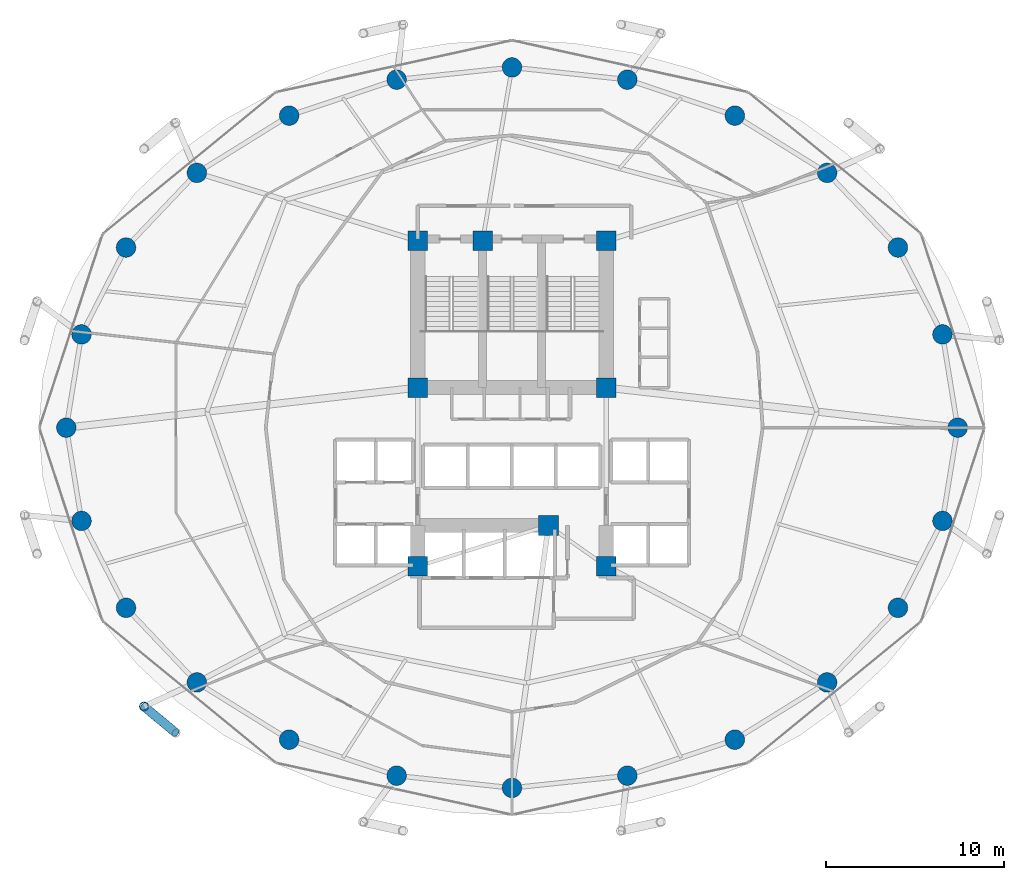
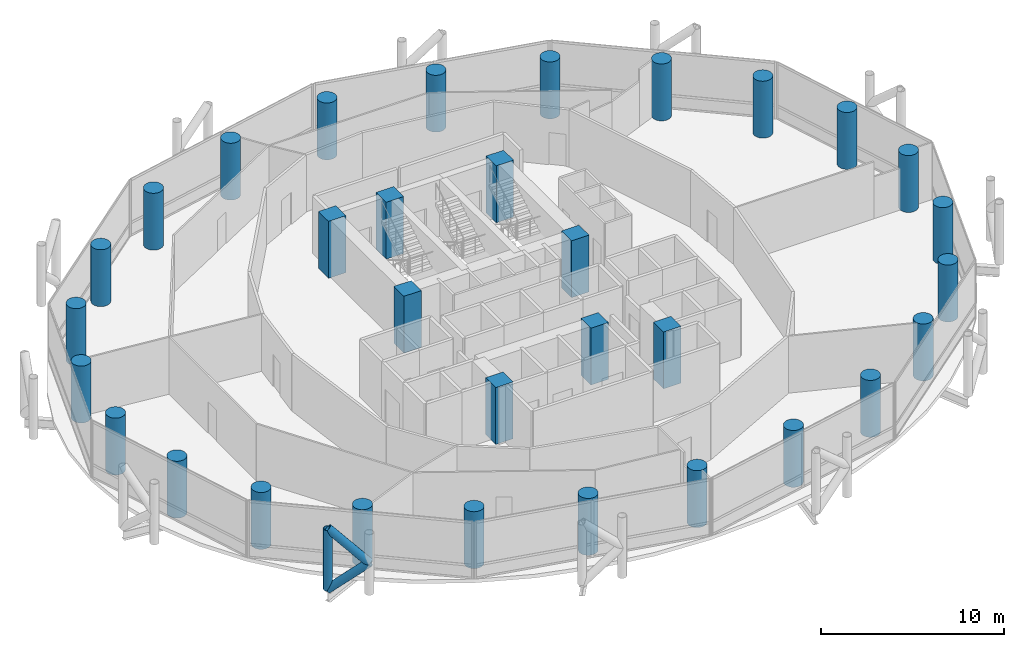
# One storey, part 1 of 25: 32 columns, 3 members.
"""IFC4 building model written with IfcOpenShell, lengths in metres."""

from ifc_helpers import new_model, si_unit, direction, frame, origin, origin_2d, place, context, subcontext, project, spatial, rectangle, circle, hollow_circle, extrude, material, material_profile, profile_set, type_object, element, save


model = new_model("IFC4")

# Units and contexts
model_context = context("Model", 3, precision=1e-05, world=origin(), true_north=direction((0.0, 1.0)))
body_context = subcontext(model_context, "Body", "Model", "MODEL_VIEW")
ifc_project = project(units=[si_unit("LENGTHUNIT", "METRE"), si_unit("AREAUNIT", "SQUARE_METRE"), si_unit("VOLUMEUNIT", "CUBIC_METRE"), si_unit("PLANEANGLEUNIT", "RADIAN"), si_unit("MASSUNIT", "GRAM", prefix="KILO")], contexts=[model_context])

# Site, building, storey
site_placement = place(None, origin())
site = spatial("IfcSite", under=ifc_project, at=site_placement, CompositionType="ELEMENT")
building_placement = place(site_placement, origin())
building = spatial("IfcBuilding", under=site, at=building_placement, Name="Nuhasar Tower", CompositionType="ELEMENT")
storey_placement = place(building_placement, frame((0.0, 0.0, 57.449951171875)))
storey = spatial("IfcBuildingStorey", under=building, at=storey_placement, Name="L13", CompositionType="ELEMENT", Elevation=57.449951171875)

# Columns
ifc_material_1 = material(Name="Concrete C80/95", Category="concrete")
ifc_material_profile_1 = material_profile(ifc_material_1, circle(Radius=0.550048828125, at=origin_2d()), Name="CFT1100")
ifc_profile_set_1 = profile_set([ifc_material_profile_1], Name="Concrete C80/95")
column_type_1 = type_object("IfcColumnType", Name="COL-CFT-1100", PredefinedType="COLUMN", material=ifc_profile_set_1)
for number, where, z_axis, x_axis, name in (
    (1, (64.050048828125, 26.800048828125, 0.0), (0.0, 0.0, 1.0), (1.0, 0.0, 0.0), "L13 Perimeter Composite Column TC-01"),
    (2, (63.196044921875, 32.041015625, 0.0), (0.0, 0.0, 1.0), (1.0, 0.0, 0.0), "L13 Perimeter Composite Column TC-02"),
    (3, (60.694091796875, 36.925048828125, 0.0), (0.0, 0.0, 1.0), (1.0, 0.0, 0.0), "L13 Perimeter Composite Column TC-03"),
    (4, (56.712890625, 41.118896484375, 0.0), (0.0, 0.0, 1.0), (1.0, 0.0, 0.0), "L13 Perimeter Composite Column TC-04"),
    (5, (51.52490234375, 44.3369140625, 0.0), (0.0, 0.0, 1.0), (1.0, 0.0, 0.0), "L13 Perimeter Composite Column TC-05"),
    (6, (45.48291015625, 46.360107421875, 0.0), (0.0, 0.0, 1.0), (1.0, 0.0, 0.0), "L13 Perimeter Composite Column TC-06"),
    (7, (39.0, 47.050048828125, 0.0), (0.0, 0.0, 1.0), (1.0, 0.0, 0.0), "L13 Perimeter Composite Column TC-07"),
    (8, (32.51708984375, 46.360107421875, 0.0), (0.0, 0.0, 1.0), (1.0, 0.0, 0.0), "L13 Perimeter Composite Column TC-08"),
    (9, (26.47509765625, 44.3369140625, 0.0), (0.0, 0.0, 1.0), (1.0, 0.0, 0.0), "L13 Perimeter Composite Column TC-09"),
    (10, (21.287109375, 41.118896484375, 0.0), (0.0, 0.0, 1.0), (1.0, 0.0, 0.0), "L13 Perimeter Composite Column TC-10"),
    (11, (17.305908203125, 36.925048828125, 0.0), (0.0, 0.0, 1.0), (1.0, 0.0, 0.0), "L13 Perimeter Composite Column TC-11"),
    (12, (14.803955078125, 32.041015625, 0.0), (0.0, 0.0, 1.0), (1.0, 0.0, 0.0), "L13 Perimeter Composite Column TC-12"),
    (13, (13.949951171875, 26.800048828125, 0.0), (0.0, 0.0, 1.0), (1.0, 0.0, 0.0), "L13 Perimeter Composite Column TC-13"),
    (14, (14.803955078125, 21.55908203125, 0.0), (0.0, 0.0, 1.0), (1.0, 0.0, 0.0), "L13 Perimeter Composite Column TC-14"),
    (15, (17.305908203125, 16.675048828125, 0.0), (0.0, 0.0, 1.0), (1.0, 0.0, 0.0), "L13 Perimeter Composite Column TC-15"),
    (16, (21.287109375, 12.48095703125, 0.0), (0.0, 0.0, 1.0), (1.0, 0.0, 0.0), "L13 Perimeter Composite Column TC-16"),
    (17, (26.47509765625, 9.262939453125, 0.0), (0.0, 0.0, 1.0), (1.0, 0.0, 0.0), "L13 Perimeter Composite Column TC-17"),
    (18, (32.51708984375, 7.239990234375, 0.0), (0.0, 0.0, 1.0), (1.0, 0.0, 0.0), "L13 Perimeter Composite Column TC-18"),
    (19, (39.0, 6.550048828125, 0.0), (0.0, 0.0, 1.0), (1.0, 0.0, 0.0), "L13 Perimeter Composite Column TC-19"),
    (20, (45.48291015625, 7.239990234375, 0.0), (0.0, 0.0, 1.0), (1.0, 0.0, 0.0), "L13 Perimeter Composite Column TC-20"),
    (21, (51.52490234375, 9.262939453125, 0.0), (0.0, 0.0, 1.0), (1.0, 0.0, 0.0), "L13 Perimeter Composite Column TC-21"),
    (22, (56.712890625, 12.48095703125, 0.0), (0.0, 0.0, 1.0), (1.0, 0.0, 0.0), "L13 Perimeter Composite Column TC-22"),
    (23, (60.694091796875, 16.675048828125, 0.0), (0.0, 0.0, 1.0), (1.0, 0.0, 0.0), "L13 Perimeter Composite Column TC-23"),
    (24, (63.196044921875, 21.55908203125, 0.0), (0.0, 0.0, 1.0), (1.0, 0.0, 0.0), "L13 Perimeter Composite Column TC-24"),
):
    element("IfcColumn", number, at=place(storey_placement, frame(where, z_axis=z_axis, x_axis=x_axis)), inside=storey, type_object=column_type_1, Name=name, PredefinedType="COLUMN", context=body_context, shape_type="SweptSolid", body=[
        extrude(circle(Radius=0.550048828125, at=origin_2d()), origin(), (0.0, 0.0, 1.0), 3.800048828125),
    ])
ifc_material_profile_2 = material_profile(ifc_material_1, rectangle(XDim=1.10009765625, YDim=1.10009765625, at=origin_2d()), Name="RC1100X1100")
ifc_profile_set_2 = profile_set([ifc_material_profile_2], Name="Concrete C80/95")
column_type_2 = type_object("IfcColumnType", Name="PIL-RC-1100", PredefinedType="PILASTER", material=ifc_profile_set_2)
for number, where, z_axis, x_axis, name in (
    (25, (33.699951171875, 19.0, 0.0), (0.0, 0.0, 1.0), (1.0, 0.0, 0.0), "L13 Core Boundary Pilaster CC-01"),
    (26, (41.050048828125, 21.300048828125, 0.0), (0.0, 0.0, 1.0), (1.0, 0.0, 0.0), "L13 Core Boundary Pilaster CC-02"),
    (27, (44.300048828125, 19.0, 0.0), (0.0, 0.0, 1.0), (1.0, 0.0, 0.0), "L13 Core Boundary Pilaster CC-03"),
    (28, (44.300048828125, 29.050048828125, 0.0), (0.0, 0.0, 1.0), (1.0, 0.0, 0.0), "L13 Core Boundary Pilaster CC-04"),
    (29, (44.300048828125, 37.300048828125, 0.0), (0.0, 0.0, 1.0), (1.0, 0.0, 0.0), "L13 Core Boundary Pilaster CC-05"),
    (30, (37.35009765625, 37.300048828125, 0.0), (0.0, 0.0, 1.0), (1.0, 0.0, 0.0), "L13 Core Boundary Pilaster CC-06"),
    (31, (33.699951171875, 37.300048828125, 0.0), (0.0, 0.0, 1.0), (1.0, 0.0, 0.0), "L13 Core Boundary Pilaster CC-07"),
    (32, (33.699951171875, 29.050048828125, 0.0), (0.0, 0.0, 1.0), (1.0, 0.0, 0.0), "L13 Core Boundary Pilaster CC-08"),
):
    element("IfcColumn", number, at=place(storey_placement, frame(where, z_axis=z_axis, x_axis=x_axis)), inside=storey, type_object=column_type_2, Name=name, PredefinedType="PILASTER", context=body_context, shape_type="SweptSolid", body=[
        extrude(rectangle(XDim=1.10009765625, YDim=1.10009765625, at=origin_2d()), origin(), (0.0, 0.0, 1.0), 3.800048828125),
    ])

# Members
ifc_material_2 = material(Name="Steel S460", Category="steel")
ifc_material_profile_3 = material_profile(ifc_material_2, hollow_circle(Radius=0.25390625, WallThickness=0.025390625, at=origin_2d()), Name="HSS508X25.4")
ifc_profile_set_3 = profile_set([ifc_material_profile_3], Name="Steel S460")
member_type = type_object("IfcMemberType", Name="EXO-BRONZE-508", PredefinedType="BRACE", material=ifc_profile_set_3)
member_1_placement = place(storey_placement, frame((18.31494140625, 11.12890625, 0.0), z_axis=(0.0, 0.0, 1.0), x_axis=(1.0, 0.0, 0.0)))
element("IfcMember", 33, at=member_1_placement, inside=storey, type_object=member_type, Name="L13 Exoskeleton Chord Column EC-08A", PredefinedType="BRACE", context=body_context, shape_type="SweptSolid", body=[
    extrude(hollow_circle(Radius=0.25390625, WallThickness=0.025390625, at=origin_2d()), origin(), (0.0, 0.0, 1.0), 4.050048828125),
])
member_2_placement = place(storey_placement, frame((18.31494140625, 11.12890625, 0.0), z_axis=(0.578071194894, -0.478911834514, 0.660664172175), x_axis=(0.637969333506, 0.770061769929, 0.0)))
element("IfcMember", 34, at=member_2_placement, inside=storey, type_object=member_type, Name="L13 Bronze Diagrid Brace W1-08", PredefinedType="BRACE", context=body_context, shape_type="SweptSolid", body=[
    extrude(hollow_circle(Radius=0.25390625, WallThickness=0.025390625, at=origin_2d()), origin(), (0.0, 0.0, 1.0), 3.0654296875),
])
member_3_placement = place(storey_placement, frame((20.0869140625, 9.660888671875, 2.025146484375), z_axis=(-0.578101613167, 0.478937034992, 0.660619286251), x_axis=(-0.637969333506, -0.770061769929, 0.0)))
element("IfcMember", 35, at=member_3_placement, inside=storey, type_object=member_type, Name="L13 Bronze Diagrid Brace W2-08", PredefinedType="BRACE", context=body_context, shape_type="SweptSolid", body=[
    extrude(hollow_circle(Radius=0.25390625, WallThickness=0.025390625, at=origin_2d()), origin(), (0.0, 0.0, 1.0), 3.065185546875),
])

save(model, "model.ifc")
